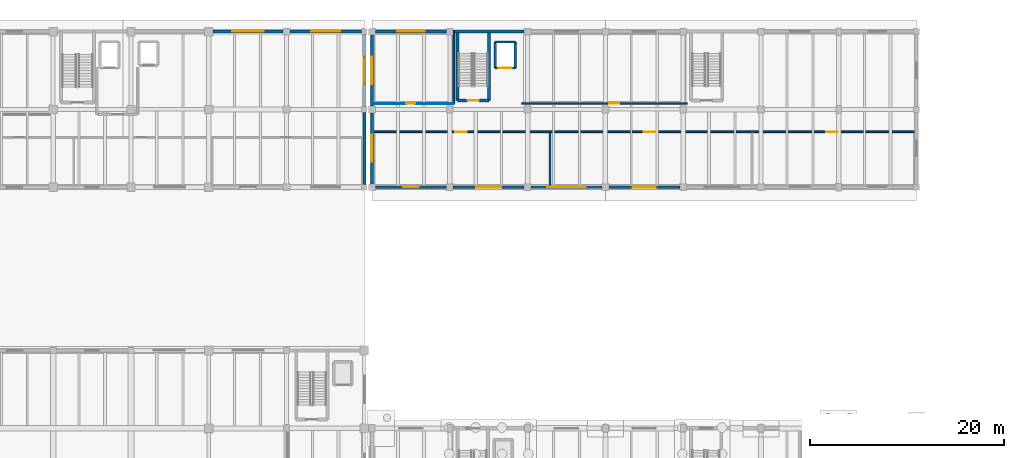
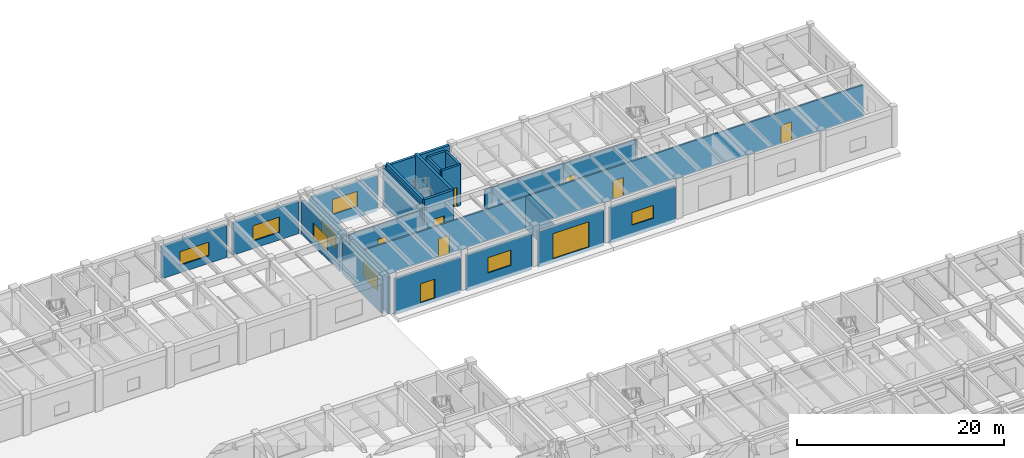
# One storey, part 41 of 64: 24 walls, 9 doors, 8 windows, 17 openings.
"""IFC4 building model written with IfcOpenShell, lengths in metres."""

from ifc_helpers import new_model, si_unit, direction, frame, frame_2d, origin, place, context, subcontext, project, spatial, rectangle, extrude, material, layer, layer_set, type_object, element, fill, save


model = new_model("IFC4")

# Units and contexts
model_context = context("Model", 3, precision=1e-05, world=origin(), true_north=direction((0.0, 1.0)))
body_context = subcontext(model_context, "Body", "Model", "MODEL_VIEW")
ifc_project = project(units=[si_unit("LENGTHUNIT", "METRE"), si_unit("AREAUNIT", "SQUARE_METRE"), si_unit("VOLUMEUNIT", "CUBIC_METRE"), si_unit("PLANEANGLEUNIT", "RADIAN"), si_unit("MASSUNIT", "GRAM", prefix="KILO")], contexts=[model_context])

# Site, building, storey
site_placement = place(None, origin())
site = spatial("IfcSite", under=ifc_project, at=site_placement, CompositionType="ELEMENT")
building_placement = place(site_placement, origin())
building = spatial("IfcBuilding", under=site, at=building_placement, Name="Tlaxcora Railside Police Headquarters", CompositionType="ELEMENT")
storey_placement = place(building_placement, origin())
storey = spatial("IfcBuildingStorey", under=building, at=storey_placement, Name="L00", CompositionType="ELEMENT", Elevation=0.0)

# Wall
ifc_material_1 = material(Name="Gypsum acoustic partition board")
ifc_layer_1 = layer(ifc_material_1, 0.175048828125, Name="Gypsum acoustic partition board")
ifc_layer_set_1 = layer_set([ifc_layer_1], Name="Gypsum acoustic partition board")
wall_type_1 = type_object("IfcWallType", Name="Interior Partition Wall IW-22", PredefinedType="PARTITIONING", material=ifc_layer_set_1)
wall_1_placement = place(storey_placement, frame((121.10498046875, 76.8798828125, 0.0), z_axis=(0.0, 0.0, 1.0), x_axis=(0.0, 1.0, 0.0)))
element("IfcWall", 1, at=wall_1_placement, inside=storey, type_object=wall_type_1, Name="V6 L00 interior partition 51", PredefinedType="PARTITIONING", context=body_context, shape_type="SweptSolid", body=[
    extrude(rectangle(XDim=5.52001953125, YDim=0.175048828125, at=frame_2d((2.760009765625, 0.0))), origin(), (0.0, 0.0, 1.0), 3.764892578125),
])

# Wall, openings, doors
wall_2_placement = place(storey_placement, frame((102.8798828125, 82.5, 0.0), z_axis=(0.0, 0.0, 1.0), x_axis=(1.0, 0.0, 0.0)))
wall_2 = element("IfcWall", 2, at=wall_2_placement, inside=storey, type_object=wall_type_1, Name="V6 L00 interior partition 53", PredefinedType="PARTITIONING", context=body_context, shape_type="SweptSolid", body=[
    extrude(rectangle(XDim=55.840087890625, YDim=0.175048828125, at=frame_2d((27.919921875, 0.0))), origin(), (0.0, 0.0, 1.0), 3.764892578125),
])
opening_1_placement = place(wall_2_placement, frame((8.4599609375, 0.0, 0.0)))
opening_1 = element("IfcOpeningElement", 3, at=opening_1_placement, cuts=wall_2, Name="Opening D-L00-102", PredefinedType="OPENING", context=body_context, shape_type="SweptSolid", body=[
    extrude(rectangle(XDim=1.199951171875, YDim=2.199951171875, at=frame_2d((0.60009765625, 1.10009765625))), frame((0.0, 0.09765625, 0.0), z_axis=(0.0, -1.0, 0.0), x_axis=(1.0, 0.0, 0.0)), (0.0, 0.0, 1.0), 0.195068359375),
])
opening_2_placement = place(wall_2_placement, frame((27.889892578125, 0.0, 0.0)))
opening_2 = element("IfcOpeningElement", 4, at=opening_2_placement, cuts=wall_2, Name="Opening D-L00-103", PredefinedType="OPENING", context=body_context, shape_type="SweptSolid", body=[
    extrude(rectangle(XDim=1.199951171875, YDim=2.199951171875, at=frame_2d((0.60009765625, 1.10009765625))), frame((0.0, 0.09765625, 0.0), z_axis=(0.0, -1.0, 0.0), x_axis=(1.0, 0.0, 0.0)), (0.0, 0.0, 1.0), 0.195068359375),
])
opening_3_placement = place(wall_2_placement, frame((46.6298828125, 0.0, 0.0)))
opening_3 = element("IfcOpeningElement", 5, at=opening_3_placement, cuts=wall_2, Name="Opening D-L00-104", PredefinedType="OPENING", context=body_context, shape_type="SweptSolid", body=[
    extrude(rectangle(XDim=1.199951171875, YDim=2.199951171875, at=frame_2d((0.60009765625, 1.10009765625))), frame((0.0, 0.09765625, 0.0), z_axis=(0.0, -1.0, 0.0), x_axis=(1.0, 0.0, 0.0)), (0.0, 0.0, 1.0), 0.195068359375),
])
ifc_material_2 = material(Name="Steel ASTM A992 Grade 50", Category="steel")
door_type_1 = type_object("IfcDoorType", Name="Swing or Sliding Personnel Door ID-65", OperationType="NOTDEFINED", PredefinedType="DOOR", material=ifc_material_2)
door_1_placement = place(opening_1_placement, origin())
door_1 = element("IfcDoor", 6, at=door_1_placement, inside=storey, type_object=door_type_1, Name="V6 L00 door D-L00-102", OperationType="DOUBLE_DOOR_SINGLE_SWING", OverallHeight=2.199951171875, OverallWidth=1.199951171875, PredefinedType="DOOR", context=body_context, shape_type="SweptSolid", body=[
    extrude(rectangle(XDim=1.199951171875, YDim=2.199951171875, at=frame_2d((0.60009765625, 1.10009765625))), frame((0.0, 0.02490234375, 0.0), z_axis=(0.0, -1.0, 0.0), x_axis=(1.0, 0.0, 0.0)), (0.0, 0.0, 1.0), 0.050048828125),
])
fill(opening_1, door_1)
door_2_placement = place(opening_2_placement, origin())
door_2 = element("IfcDoor", 7, at=door_2_placement, inside=storey, type_object=door_type_1, Name="V6 L00 door D-L00-103", OperationType="DOUBLE_DOOR_SINGLE_SWING", OverallHeight=2.199951171875, OverallWidth=1.199951171875, PredefinedType="DOOR", context=body_context, shape_type="SweptSolid", body=[
    extrude(rectangle(XDim=1.199951171875, YDim=2.199951171875, at=frame_2d((0.60009765625, 1.10009765625))), frame((0.0, 0.02490234375, 0.0), z_axis=(0.0, -1.0, 0.0), x_axis=(1.0, 0.0, 0.0)), (0.0, 0.0, 1.0), 0.050048828125),
])
fill(opening_2, door_2)
door_3_placement = place(opening_3_placement, origin())
door_3 = element("IfcDoor", 8, at=door_3_placement, inside=storey, type_object=door_type_1, Name="V6 L00 door D-L00-104", OperationType="DOUBLE_DOOR_SINGLE_SWING", OverallHeight=2.199951171875, OverallWidth=1.199951171875, PredefinedType="DOOR", context=body_context, shape_type="SweptSolid", body=[
    extrude(rectangle(XDim=1.199951171875, YDim=2.199951171875, at=frame_2d((0.60009765625, 1.10009765625))), frame((0.0, 0.02490234375, 0.0), z_axis=(0.0, -1.0, 0.0), x_axis=(1.0, 0.0, 0.0)), (0.0, 0.0, 1.0), 0.050048828125),
])
fill(opening_3, door_3)

# Wall
ifc_layer_2 = layer(ifc_material_1, 0.16796875, Name="Gypsum acoustic partition board")
ifc_layer_set_2 = layer_set([ifc_layer_2], Name="Gypsum acoustic partition board")
wall_type_2 = type_object("IfcWallType", Name="Interior Partition Wall IW-31", PredefinedType="PARTITIONING", material=ifc_layer_set_2)
wall_3_placement = place(storey_placement, frame((111.199951171875, 85.39990234375, 0.0), z_axis=(0.0, 0.0, 1.0), x_axis=(0.0, 1.0, 0.0)))
element("IfcWall", 9, at=wall_3_placement, inside=storey, type_object=wall_type_2, Name="V6 L00 interior partition 55", PredefinedType="PARTITIONING", context=body_context, shape_type="SweptSolid", body=[
    extrude(rectangle(XDim=7.400146484375, YDim=0.16796875, at=frame_2d((3.7001953125, 0.0))), origin(), (0.0, 0.0, 1.0), 4.530029296875),
])

# Wall, opening, door
ifc_layer_3 = layer(ifc_material_1, 0.10009765625, Name="Gypsum acoustic partition board")
ifc_layer_set_3 = layer_set([ifc_layer_3], Name="Gypsum acoustic partition board")
wall_type_3 = type_object("IfcWallType", Name="Interior Partition Wall IW-45", PredefinedType="PARTITIONING", material=ifc_layer_set_3)
wall_4_placement = place(storey_placement, frame((102.800048828125, 85.39990234375, 0.0), z_axis=(0.0, 0.0, 1.0), x_axis=(1.0, 0.0, 0.0)))
wall_4 = element("IfcWall", 10, at=wall_4_placement, inside=storey, type_object=wall_type_3, Name="V6 L00 interior partition 54", PredefinedType="PARTITIONING", context=body_context, shape_type="SweptSolid", body=[
    extrude(rectangle(XDim=8.39990234375, YDim=0.10009765625, at=frame_2d((4.199951171875, 0.0))), origin(), (0.0, 0.0, 1.0), 3.81494140625),
])
opening_4_placement = place(wall_4_placement, frame((3.5, 0.0, 0.0)))
opening_4 = element("IfcOpeningElement", 11, at=opening_4_placement, cuts=wall_4, Name="Opening D-L00-105", PredefinedType="OPENING", context=body_context, shape_type="SweptSolid", body=[
    extrude(rectangle(XDim=0.949951171875, YDim=2.14990234375, at=frame_2d((0.47509765625, 1.074951171875))), frame((0.0, 0.06005859375, 0.0), z_axis=(0.0, -1.0, 0.0), x_axis=(1.0, 0.0, 0.0)), (0.0, 0.0, 1.0), 0.1201171875),
])
door_type_2 = type_object("IfcDoorType", Name="Swing or Sliding Personnel Door ID-31", OperationType="NOTDEFINED", PredefinedType="DOOR", material=ifc_material_2)
door_4_placement = place(opening_4_placement, origin())
door_4 = element("IfcDoor", 12, at=door_4_placement, inside=storey, type_object=door_type_2, Name="V6 L00 door D-L00-105", OperationType="SINGLE_SWING_RIGHT", OverallHeight=2.14990234375, OverallWidth=0.949951171875, PredefinedType="DOOR", context=body_context, shape_type="SweptSolid", body=[
    extrude(rectangle(XDim=0.949951171875, YDim=2.14990234375, at=frame_2d((0.47509765625, 1.074951171875))), frame((0.0, 0.02490234375, 0.0), z_axis=(0.0, -1.0, 0.0), x_axis=(1.0, 0.0, 0.0)), (0.0, 0.0, 1.0), 0.050048828125),
])
fill(opening_4, door_4)

ifc_layer_4 = layer(ifc_material_1, 0.159912109375, Name="Gypsum acoustic partition board")
ifc_layer_set_4 = layer_set([ifc_layer_4], Name="Gypsum acoustic partition board")
wall_type_4 = type_object("IfcWallType", Name="Interior Partition Wall IW-73", PredefinedType="PARTITIONING", material=ifc_layer_set_4)
wall_5_placement = place(storey_placement, frame((118.199951171875, 85.39990234375, 0.0), z_axis=(0.0, 0.0, 1.0), x_axis=(1.0, 0.0, 0.0)))
wall_5 = element("IfcWall", 13, at=wall_5_placement, inside=storey, type_object=wall_type_4, Name="V6 L00 interior partition 56", PredefinedType="PARTITIONING", context=body_context, shape_type="SweptSolid", body=[
    extrude(rectangle(XDim=17.0, YDim=0.159912109375, at=frame_2d((8.5, 0.0))), origin(), (0.0, 0.0, 1.0), 3.81494140625),
])
opening_5_placement = place(wall_5_placement, frame((9.0, 0.0, 0.0)))
opening_5 = element("IfcOpeningElement", 14, at=opening_5_placement, cuts=wall_5, Name="Opening D-L00-106", PredefinedType="OPENING", context=body_context, shape_type="SweptSolid", body=[
    extrude(rectangle(XDim=1.050048828125, YDim=2.10009765625, at=frame_2d((0.52490234375, 1.050048828125))), frame((0.0, 0.08984375, 0.0), z_axis=(0.0, -1.0, 0.0), x_axis=(1.0, 0.0, 0.0)), (0.0, 0.0, 1.0), 0.179931640625),
])
door_type_3 = type_object("IfcDoorType", Name="Swing or Sliding Personnel Door ID-52", OperationType="NOTDEFINED", PredefinedType="DOOR", material=ifc_material_2)
door_5_placement = place(opening_5_placement, origin())
door_5 = element("IfcDoor", 15, at=door_5_placement, inside=storey, type_object=door_type_3, Name="V6 L00 door D-L00-106", OperationType="SINGLE_SWING_LEFT", OverallHeight=2.10009765625, OverallWidth=1.050048828125, PredefinedType="DOOR", context=body_context, shape_type="SweptSolid", body=[
    extrude(rectangle(XDim=1.050048828125, YDim=2.10009765625, at=frame_2d((0.52490234375, 1.050048828125))), frame((0.0, 0.02490234375, 0.0), z_axis=(0.0, -1.0, 0.0), x_axis=(1.0, 0.0, 0.0)), (0.0, 0.0, 1.0), 0.050048828125),
])
fill(opening_5, door_5)

ifc_material_3 = material(Name="Concrete C40/50", Category="concrete")
ifc_layer_5 = layer(ifc_material_3, 0.25, Name="Concrete C40/50")
ifc_layer_set_5 = layer_set([ifc_layer_5], Name="Concrete C40/50")
wall_type_5 = type_object("IfcWallType", Name="Shear Core Wall IW-13", PredefinedType="SHEAR", material=ifc_layer_set_5)
wall_6_placement = place(storey_placement, frame((115.4599609375, 89.06005859375, 0.0), z_axis=(0.0, 0.0, 1.0), x_axis=(1.0, 0.0, 0.0)))
wall_6 = element("IfcWall", 16, at=wall_6_placement, inside=storey, type_object=wall_type_5, Name="Lift GL-01 L00 shaft wall S", PredefinedType="SHEAR", context=body_context, shape_type="SweptSolid", body=[
    extrude(rectangle(XDim=2.080078125, YDim=0.25, at=frame_2d((1.0400390625, 0.0))), origin(), (0.0, 0.0, 1.0), 4.800048828125),
])
opening_6_placement = place(wall_6_placement, frame((0.389892578125, 0.0, 0.0)))
opening_6 = element("IfcOpeningElement", 17, at=opening_6_placement, cuts=wall_6, Name="Opening LD-GL-01-L00", PredefinedType="OPENING", context=body_context, shape_type="SweptSolid", body=[
    extrude(rectangle(XDim=1.300048828125, YDim=2.25, at=frame_2d((0.64990234375, 1.125))), frame((0.0, 0.135009765625, 0.0), z_axis=(0.0, -1.0, 0.0), x_axis=(1.0, 0.0, 0.0)), (0.0, 0.0, 1.0), 0.27001953125),
])
door_type_4 = type_object("IfcDoorType", Name="Swing or Sliding Personnel Door ID-72", OperationType="NOTDEFINED", PredefinedType="DOOR", material=ifc_material_2)
door_6_placement = place(opening_6_placement, origin())
door_6 = element("IfcDoor", 18, at=door_6_placement, inside=storey, type_object=door_type_4, Name="Lift GL-01 L00 sliding landing door", OperationType="DOUBLE_DOOR_SLIDING", OverallHeight=2.25, OverallWidth=1.300048828125, PredefinedType="DOOR", context=body_context, shape_type="SweptSolid", body=[
    extrude(rectangle(XDim=1.300048828125, YDim=2.25, at=frame_2d((0.64990234375, 1.125))), frame((0.0, 0.02490234375, 0.0), z_axis=(0.0, -1.0, 0.0), x_axis=(1.0, 0.0, 0.0)), (0.0, 0.0, 1.0), 0.050048828125),
])
fill(opening_6, door_6)

# Walls
wall_7_placement = place(storey_placement, frame((117.5400390625, 89.06005859375, 0.0), z_axis=(0.0, 0.0, 1.0), x_axis=(0.0, 1.0, 0.0)))
element("IfcWall", 19, at=wall_7_placement, inside=storey, type_object=wall_type_5, Name="Lift GL-01 L00 shaft wall E", PredefinedType="SHEAR", context=body_context, shape_type="SweptSolid", body=[
    extrude(rectangle(XDim=2.679931640625, YDim=0.25, at=frame_2d((1.33984375, 0.0))), origin(), (0.0, 0.0, 1.0), 4.800048828125),
])
wall_8_placement = place(storey_placement, frame((117.5400390625, 91.739990234375, 0.0), z_axis=(0.0, 0.0, 1.0), x_axis=(-1.0, 0.0, 0.0)))
element("IfcWall", 20, at=wall_8_placement, inside=storey, type_object=wall_type_5, Name="Lift GL-01 L00 shaft wall N", PredefinedType="SHEAR", context=body_context, shape_type="SweptSolid", body=[
    extrude(rectangle(XDim=2.080078125, YDim=0.25, at=frame_2d((1.0400390625, 0.0))), origin(), (0.0, 0.0, 1.0), 4.800048828125),
])
wall_9_placement = place(storey_placement, frame((115.4599609375, 91.739990234375, 0.0), z_axis=(0.0, 0.0, 1.0), x_axis=(0.0, -1.0, 0.0)))
element("IfcWall", 21, at=wall_9_placement, inside=storey, type_object=wall_type_5, Name="Lift GL-01 L00 shaft wall W", PredefinedType="SHEAR", context=body_context, shape_type="SweptSolid", body=[
    extrude(rectangle(XDim=2.679931640625, YDim=0.25, at=frame_2d((1.33984375, 0.0))), origin(), (0.0, 0.0, 1.0), 4.800048828125),
])

# Wall, opening, door
ifc_layer_6 = layer(ifc_material_3, 0.300048828125, Name="Concrete C40/50")
ifc_layer_set_6 = layer_set([ifc_layer_6], Name="Concrete C40/50")
wall_type_6 = type_object("IfcWallType", Name="Shear Core Wall IW-28", PredefinedType="SHEAR", material=ifc_layer_set_6)
wall_10_placement = place(storey_placement, frame((111.60009765625, 85.699951171875, 0.0), z_axis=(0.0, 0.0, 1.0), x_axis=(1.0, 0.0, 0.0)))
wall_10 = element("IfcWall", 22, at=wall_10_placement, inside=storey, type_object=wall_type_6, Name="CORE-C3 L00 stair core wall S", PredefinedType="SHEAR", context=body_context, shape_type="SweptSolid", body=[
    extrude(rectangle(XDim=3.219970703125, YDim=0.300048828125, at=frame_2d((1.60986328125, 0.0))), origin(), (0.0, 0.0, 1.0), 4.800048828125),
])
opening_7_placement = place(wall_10_placement, frame((1.034912109375, 0.0, 0.0)))
opening_7 = element("IfcOpeningElement", 23, at=opening_7_placement, cuts=wall_10, Name="Opening SD-L00-020", PredefinedType="OPENING", context=body_context, shape_type="SweptSolid", body=[
    extrude(rectangle(XDim=1.14990234375, YDim=2.14990234375, at=frame_2d((0.574951171875, 1.074951171875))), frame((0.0, 0.16015625, 0.0), z_axis=(0.0, -1.0, 0.0), x_axis=(1.0, 0.0, 0.0)), (0.0, 0.0, 1.0), 0.320068359375),
])
door_type_5 = type_object("IfcDoorType", Name="Swing or Sliding Personnel Door ID-73", OperationType="NOTDEFINED", PredefinedType="DOOR", material=ifc_material_2)
door_7_placement = place(opening_7_placement, origin())
door_7 = element("IfcDoor", 24, at=door_7_placement, inside=storey, type_object=door_type_5, Name="Stair ST3 L00 enclosure fire door", OperationType="SINGLE_SWING_RIGHT", OverallHeight=2.14990234375, OverallWidth=1.14990234375, PredefinedType="DOOR", context=body_context, shape_type="SweptSolid", body=[
    extrude(rectangle(XDim=1.14990234375, YDim=2.14990234375, at=frame_2d((0.574951171875, 1.074951171875))), frame((0.0, 0.02490234375, 0.0), z_axis=(0.0, -1.0, 0.0), x_axis=(1.0, 0.0, 0.0)), (0.0, 0.0, 1.0), 0.050048828125),
])
fill(opening_7, door_7)

# Walls
for number, where, z_axis, x_axis, name in (
    (25, (114.820068359375, 85.699951171875, 0.0), (0.0, 0.0, 1.0), (0.0, 1.0, 0.0), "CORE-C3 L00 stair core wall E"),
    (26, (111.60009765625, 92.800048828125, 0.0), (0.0, 0.0, 1.0), (0.0, -1.0, 0.0), "CORE-C3 L00 stair core wall W"),
):
    element("IfcWall", number, at=place(storey_placement, frame(where, z_axis=z_axis, x_axis=x_axis)), inside=storey, type_object=wall_type_6, Name=name, PredefinedType="SHEAR", context=body_context, shape_type="SweptSolid", body=[
        extrude(rectangle(XDim=7.10009765625, YDim=0.300048828125, at=frame_2d((3.550048828125, 0.0))), origin(), (0.0, 0.0, 1.0), 4.800048828125),
    ])
ifc_material_4 = material(Name="Volcanic basalt ashlar masonry", Category="masonry")
ifc_layer_7 = layer(ifc_material_4, 0.31494140625, Name="Volcanic basalt ashlar masonry")
ifc_layer_set_7 = layer_set([ifc_layer_7], Name="Volcanic basalt ashlar masonry")
wall_type_7 = type_object("IfcWallType", Name="Structural Bearing Wall EW-25", PredefinedType="SOLIDWALL", material=ifc_layer_set_7)
wall_11_placement = place(storey_placement, frame((102.0, 77.10009765625, 0.0), z_axis=(0.0, 0.0, 1.0), x_axis=(0.0, 1.0, 0.0)))
element("IfcWall", 27, at=wall_11_placement, inside=storey, type_object=wall_type_7, Name="V5 L00 exterior wall 3.0", PredefinedType="SOLIDWALL", context=body_context, shape_type="SweptSolid", body=[
    extrude(rectangle(XDim=7.39990234375, YDim=0.31494140625, at=frame_2d((3.699951171875, 0.0))), origin(), (0.0, 0.0, 1.0), 3.8798828125),
])

# Wall, opening, window
wall_12_placement = place(storey_placement, frame((102.0, 85.10009765625, 0.0), z_axis=(0.0, 0.0, 1.0), x_axis=(0.0, 1.0, 0.0)))
wall_12 = element("IfcWall", 28, at=wall_12_placement, inside=storey, type_object=wall_type_7, Name="V5 L00 exterior wall 3.1", PredefinedType="SOLIDWALL", context=body_context, shape_type="SweptSolid", body=[
    extrude(rectangle(XDim=7.39990234375, YDim=0.31494140625, at=frame_2d((3.699951171875, 0.0))), origin(), (0.0, 0.0, 1.0), 3.8798828125),
])
opening_8_placement = place(wall_12_placement, frame((2.300048828125, 0.0, 0.89990234375)))
opening_8 = element("IfcOpeningElement", 29, at=opening_8_placement, cuts=wall_12, Name="Opening WN-44", PredefinedType="OPENING", context=body_context, shape_type="SweptSolid", body=[
    extrude(rectangle(XDim=2.800048828125, YDim=1.800048828125, at=frame_2d((1.39990234375, 0.89990234375))), frame((0.0, 0.16748046875, 0.0), z_axis=(0.0, -1.0, 0.0), x_axis=(1.0, 0.0, 0.0)), (0.0, 0.0, 1.0), 0.3349609375),
])
ifc_material_5 = material(Name="Thermally broken low-E insulated glazing", Category="glass")
window_type_1 = type_object("IfcWindowType", Name="Exterior Framed or Circular Window WN-44", PartitioningType="SINGLE_PANEL", PredefinedType="WINDOW", material=ifc_material_5)
window_1_placement = place(opening_8_placement, origin())
window_1 = element("IfcWindow", 30, at=window_1_placement, inside=storey, type_object=window_type_1, Name="V5 L00 window 102", OverallHeight=1.800048828125, OverallWidth=2.800048828125, PartitioningType="SINGLE_PANEL", PredefinedType="WINDOW", context=body_context, shape_type="SweptSolid", body=[
    extrude(rectangle(XDim=2.800048828125, YDim=1.800048828125, at=frame_2d((1.39990234375, 0.89990234375))), frame((0.0, 0.030029296875, 0.0), z_axis=(0.0, -1.0, 0.0), x_axis=(1.0, 0.0, 0.0)), (0.0, 0.0, 1.0), 0.06005859375),
])
fill(opening_8, window_1)

wall_13_placement = place(storey_placement, frame((101.699951171875, 92.800048828125, 0.0), z_axis=(0.0, 0.0, 1.0), x_axis=(-1.0, 0.0, 0.0)))
wall_13 = element("IfcWall", 31, at=wall_13_placement, inside=storey, type_object=wall_type_7, Name="V5 L00 exterior wall 4.0", PredefinedType="SOLIDWALL", context=body_context, shape_type="SweptSolid", body=[
    extrude(rectangle(XDim=7.349853515625, YDim=0.31494140625, at=frame_2d((3.6748046875, 0.0))), origin(), (0.0, 0.0, 1.0), 3.780029296875),
])
opening_9_placement = place(wall_13_placement, frame((2.175048828125, 0.0, 0.89990234375)))
opening_9 = element("IfcOpeningElement", 32, at=opening_9_placement, cuts=wall_13, Name="Opening WN-93", PredefinedType="OPENING", context=body_context, shape_type="SweptSolid", body=[
    extrude(rectangle(XDim=3.0, YDim=1.800048828125, at=frame_2d((1.5, 0.89990234375))), frame((0.0, 0.16748046875, 0.0), z_axis=(0.0, -1.0, 0.0), x_axis=(1.0, 0.0, 0.0)), (0.0, 0.0, 1.0), 0.3349609375),
])
window_type_2 = type_object("IfcWindowType", Name="Exterior Framed or Circular Window WN-93", PartitioningType="SINGLE_PANEL", PredefinedType="WINDOW", material=ifc_material_5)
window_2_placement = place(opening_9_placement, origin())
window_2 = element("IfcWindow", 33, at=window_2_placement, inside=storey, type_object=window_type_2, Name="V5 L00 window 103", OverallHeight=1.800048828125, OverallWidth=3.0, PartitioningType="SINGLE_PANEL", PredefinedType="WINDOW", context=body_context, shape_type="SweptSolid", body=[
    extrude(rectangle(XDim=3.0, YDim=1.800048828125, at=frame_2d((1.5, 0.89990234375))), frame((0.0, 0.030029296875, 0.0), z_axis=(0.0, -1.0, 0.0), x_axis=(1.0, 0.0, 0.0)), (0.0, 0.0, 1.0), 0.06005859375),
])
fill(opening_9, window_2)

wall_14_placement = place(storey_placement, frame((93.64990234375, 92.800048828125, 0.0), z_axis=(0.0, 0.0, 1.0), x_axis=(-1.0, 0.0, 0.0)))
wall_14 = element("IfcWall", 34, at=wall_14_placement, inside=storey, type_object=wall_type_7, Name="V5 L00 exterior wall 4.1", PredefinedType="SOLIDWALL", context=body_context, shape_type="SweptSolid", body=[
    extrude(rectangle(XDim=7.224853515625, YDim=0.31494140625, at=frame_2d((3.6123046875, 0.0))), origin(), (0.0, 0.0, 1.0), 3.780029296875),
])
opening_10_placement = place(wall_14_placement, frame((2.012451171875, 0.0, 0.89990234375)))
opening_10 = element("IfcOpeningElement", 35, at=opening_10_placement, cuts=wall_14, Name="Opening WN-47", PredefinedType="OPENING", context=body_context, shape_type="SweptSolid", body=[
    extrude(rectangle(XDim=3.199951171875, YDim=1.60009765625, at=frame_2d((1.60009765625, 0.800048828125))), frame((0.0, 0.16748046875, 0.0), z_axis=(0.0, -1.0, 0.0), x_axis=(1.0, 0.0, 0.0)), (0.0, 0.0, 1.0), 0.3349609375),
])
window_type_3 = type_object("IfcWindowType", Name="Exterior Framed or Circular Window WN-47", PartitioningType="SINGLE_PANEL", PredefinedType="WINDOW", material=ifc_material_5)
window_3_placement = place(opening_10_placement, origin())
window_3 = element("IfcWindow", 36, at=window_3_placement, inside=storey, type_object=window_type_3, Name="V5 L00 window 104", OverallHeight=1.60009765625, OverallWidth=3.199951171875, PartitioningType="SINGLE_PANEL", PredefinedType="WINDOW", context=body_context, shape_type="SweptSolid", body=[
    extrude(rectangle(XDim=3.199951171875, YDim=1.60009765625, at=frame_2d((1.60009765625, 0.800048828125))), frame((0.0, 0.030029296875, 0.0), z_axis=(0.0, -1.0, 0.0), x_axis=(1.0, 0.0, 0.0)), (0.0, 0.0, 1.0), 0.06005859375),
])
fill(opening_10, window_3)

# Wall, opening, door
ifc_material_6 = material(Name="Pressed clay brick masonry", Category="masonry")
ifc_layer_8 = layer(ifc_material_6, 0.294921875, Name="Pressed clay brick masonry")
ifc_layer_set_8 = layer_set([ifc_layer_8], Name="Pressed clay brick masonry")
wall_type_8 = type_object("IfcWallType", Name="Structural Bearing Wall EW-74", PredefinedType="SOLIDWALL", material=ifc_layer_set_8)
wall_15_placement = place(storey_placement, frame((103.14990234375, 76.800048828125, -0.419921875), z_axis=(0.0, 0.0, 1.0), x_axis=(1.0, 0.0, 0.0)))
wall_15 = element("IfcWall", 37, at=wall_15_placement, inside=storey, type_object=wall_type_8, Name="V6 L00 exterior wall 0.0", PredefinedType="SOLIDWALL", context=body_context, shape_type="SweptSolid", body=[
    extrude(rectangle(XDim=7.300048828125, YDim=0.294921875, at=frame_2d((3.64990234375, 0.0))), origin(), (0.0, 0.0, 1.0), 4.199951171875),
])
opening_11_placement = place(wall_15_placement, frame((2.85009765625, 0.0, 0.419921875)))
opening_11 = element("IfcOpeningElement", 38, at=opening_11_placement, cuts=wall_15, Name="Opening E-08", PredefinedType="OPENING", context=body_context, shape_type="SweptSolid", body=[
    extrude(rectangle(XDim=1.60009765625, YDim=2.25, at=frame_2d((0.800048828125, 1.125))), frame((0.0, 0.157470703125, 0.0), z_axis=(0.0, -1.0, 0.0), x_axis=(1.0, 0.0, 0.0)), (0.0, 0.0, 1.0), 0.31494140625),
])
ifc_material_7 = material(Name="Anodised aluminium framing", Category="aluminium")
door_type_6 = type_object("IfcDoorType", Name="Swing or Sliding Personnel Door ED-85", OperationType="NOTDEFINED", PredefinedType="DOOR", material=ifc_material_7)
door_8_placement = place(opening_11_placement, frame((1.60009765625, 0.0, 0.0), z_axis=(0.0, 0.0, 1.0), x_axis=(-1.0, 0.0, 0.0)))
door_8 = element("IfcDoor", 39, at=door_8_placement, inside=storey, type_object=door_type_6, Name="Forensic intake entrance E-08", OperationType="DOUBLE_DOOR_SINGLE_SWING", OverallHeight=2.25, OverallWidth=1.60009765625, PredefinedType="DOOR", context=body_context, shape_type="SweptSolid", body=[
    extrude(rectangle(XDim=1.60009765625, YDim=2.25, at=frame_2d((0.800048828125, 1.125))), frame((0.0, 0.02490234375, 0.0), z_axis=(0.0, -1.0, 0.0), x_axis=(1.0, 0.0, 0.0)), (0.0, 0.0, 1.0), 0.050048828125),
])
fill(opening_11, door_8)

# Wall, opening, window
wall_16_placement = place(storey_placement, frame((111.14990234375, 76.800048828125, -0.419921875), z_axis=(0.0, 0.0, 1.0), x_axis=(1.0, 0.0, 0.0)))
wall_16 = element("IfcWall", 40, at=wall_16_placement, inside=storey, type_object=wall_type_8, Name="V6 L00 exterior wall 0.1", PredefinedType="SOLIDWALL", context=body_context, shape_type="SweptSolid", body=[
    extrude(rectangle(XDim=7.300048828125, YDim=0.294921875, at=frame_2d((3.64990234375, 0.0))), origin(), (0.0, 0.0, 1.0), 4.199951171875),
])
opening_12_placement = place(wall_16_placement, frame((2.35009765625, 0.0, 1.320068359375)))
opening_12 = element("IfcOpeningElement", 41, at=opening_12_placement, cuts=wall_16, Name="Opening WN-71", PredefinedType="OPENING", context=body_context, shape_type="SweptSolid", body=[
    extrude(rectangle(XDim=2.60009765625, YDim=1.800048828125, at=frame_2d((1.300048828125, 0.89990234375))), frame((0.0, 0.157470703125, 0.0), z_axis=(0.0, -1.0, 0.0), x_axis=(1.0, 0.0, 0.0)), (0.0, 0.0, 1.0), 0.31494140625),
])
window_type_4 = type_object("IfcWindowType", Name="Exterior Framed or Circular Window WN-71", PartitioningType="SINGLE_PANEL", PredefinedType="WINDOW", material=ifc_material_5)
window_4_placement = place(opening_12_placement, origin())
window_4 = element("IfcWindow", 42, at=window_4_placement, inside=storey, type_object=window_type_4, Name="V6 L00 window 156", OverallHeight=1.800048828125, OverallWidth=2.60009765625, PartitioningType="SINGLE_PANEL", PredefinedType="WINDOW", context=body_context, shape_type="SweptSolid", body=[
    extrude(rectangle(XDim=2.60009765625, YDim=1.800048828125, at=frame_2d((1.300048828125, 0.89990234375))), frame((0.0, 0.030029296875, 0.0), z_axis=(0.0, -1.0, 0.0), x_axis=(1.0, 0.0, 0.0)), (0.0, 0.0, 1.0), 0.06005859375),
])
fill(opening_12, window_4)

# Wall, opening, door
wall_17_placement = place(storey_placement, frame((119.14990234375, 76.800048828125, -0.419921875), z_axis=(0.0, 0.0, 1.0), x_axis=(1.0, 0.0, 0.0)))
wall_17 = element("IfcWall", 43, at=wall_17_placement, inside=storey, type_object=wall_type_8, Name="V6 L00 exterior wall 0.2", PredefinedType="SOLIDWALL", context=body_context, shape_type="SweptSolid", body=[
    extrude(rectangle(XDim=7.300048828125, YDim=0.294921875, at=frame_2d((3.64990234375, 0.0))), origin(), (0.0, 0.0, 1.0), 4.199951171875),
])
opening_13_placement = place(wall_17_placement, frame((1.64990234375, 0.0, 0.419921875)))
opening_13 = element("IfcOpeningElement", 44, at=opening_13_placement, cuts=wall_17, Name="Opening FG-01", PredefinedType="OPENING", context=body_context, shape_type="SweptSolid", body=[
    extrude(rectangle(XDim=4.0, YDim=3.0, at=frame_2d((2.0, 1.5))), frame((0.0, 0.157470703125, 0.0), z_axis=(0.0, -1.0, 0.0), x_axis=(1.0, 0.0, 0.0)), (0.0, 0.0, 1.0), 0.31494140625),
])
door_type_7 = type_object("IfcDoorType", Name="Vehicle Security Shutter Gate ED-18", OperationType="NOTDEFINED", PredefinedType="GATE", material=ifc_material_2)
door_9_placement = place(opening_13_placement, frame((4.0, 0.0, 0.0), z_axis=(0.0, 0.0, 1.0), x_axis=(-1.0, 0.0, 0.0)))
door_9 = element("IfcDoor", 45, at=door_9_placement, inside=storey, type_object=door_type_7, Name="Service vehicle shutter gate FG-01", OperationType="ROLLINGUP", OverallHeight=3.0, OverallWidth=4.0, PredefinedType="GATE", context=body_context, shape_type="SweptSolid", body=[
    extrude(rectangle(XDim=4.0, YDim=3.0, at=frame_2d((2.0, 1.5))), frame((0.0, 0.02490234375, 0.0), z_axis=(0.0, -1.0, 0.0), x_axis=(1.0, 0.0, 0.0)), (0.0, 0.0, 1.0), 0.050048828125),
])
fill(opening_13, door_9)

# Wall, opening, window
wall_18_placement = place(storey_placement, frame((127.14990234375, 76.800048828125, -0.419921875), z_axis=(0.0, 0.0, 1.0), x_axis=(1.0, 0.0, 0.0)))
wall_18 = element("IfcWall", 46, at=wall_18_placement, inside=storey, type_object=wall_type_8, Name="V6 L00 exterior wall 0.3", PredefinedType="SOLIDWALL", context=body_context, shape_type="SweptSolid", body=[
    extrude(rectangle(XDim=7.300048828125, YDim=0.294921875, at=frame_2d((3.64990234375, 0.0))), origin(), (0.0, 0.0, 1.0), 4.199951171875),
])
opening_14_placement = place(wall_18_placement, frame((2.449951171875, 0.0, 1.320068359375)))
opening_14 = element("IfcOpeningElement", 47, at=opening_14_placement, cuts=wall_18, Name="Opening WN-59", PredefinedType="OPENING", context=body_context, shape_type="SweptSolid", body=[
    extrude(rectangle(XDim=2.39990234375, YDim=1.5, at=frame_2d((1.199951171875, 0.75))), frame((0.0, 0.157470703125, 0.0), z_axis=(0.0, -1.0, 0.0), x_axis=(1.0, 0.0, 0.0)), (0.0, 0.0, 1.0), 0.31494140625),
])
window_type_5 = type_object("IfcWindowType", Name="Exterior Framed or Circular Window WN-59", PartitioningType="SINGLE_PANEL", PredefinedType="WINDOW", material=ifc_material_5)
window_5_placement = place(opening_14_placement, origin())
window_5 = element("IfcWindow", 48, at=window_5_placement, inside=storey, type_object=window_type_5, Name="V6 L00 window 157", OverallHeight=1.5, OverallWidth=2.39990234375, PartitioningType="SINGLE_PANEL", PredefinedType="WINDOW", context=body_context, shape_type="SweptSolid", body=[
    extrude(rectangle(XDim=2.39990234375, YDim=1.5, at=frame_2d((1.199951171875, 0.75))), frame((0.0, 0.030029296875, 0.0), z_axis=(0.0, -1.0, 0.0), x_axis=(1.0, 0.0, 0.0)), (0.0, 0.0, 1.0), 0.06005859375),
])
fill(opening_14, window_5)

# Wall
wall_19_placement = place(storey_placement, frame((118.449951171875, 92.800048828125, -0.419921875), z_axis=(0.0, 0.0, 1.0), x_axis=(-1.0, 0.0, 0.0)))
element("IfcWall", 49, at=wall_19_placement, inside=storey, type_object=wall_type_8, Name="V6 L00 exterior wall 2.5", PredefinedType="SOLIDWALL", context=body_context, shape_type="SweptSolid", body=[
    extrude(rectangle(XDim=7.300048828125, YDim=0.294921875, at=frame_2d((3.64990234375, 0.0))), origin(), (0.0, 0.0, 1.0), 4.949951171875),
])

# Wall, opening, window
wall_20_placement = place(storey_placement, frame((110.449951171875, 92.800048828125, -0.419921875), z_axis=(0.0, 0.0, 1.0), x_axis=(-1.0, 0.0, 0.0)))
wall_20 = element("IfcWall", 50, at=wall_20_placement, inside=storey, type_object=wall_type_8, Name="V6 L00 exterior wall 2.6", PredefinedType="SOLIDWALL", context=body_context, shape_type="SweptSolid", body=[
    extrude(rectangle(XDim=7.300048828125, YDim=0.294921875, at=frame_2d((3.64990234375, 0.0))), origin(), (0.0, 0.0, 1.0), 4.199951171875),
])
opening_15_placement = place(wall_20_placement, frame((2.25, 0.0, 1.320068359375)))
opening_15 = element("IfcOpeningElement", 51, at=opening_15_placement, cuts=wall_20, Name="Opening WN-44", PredefinedType="OPENING", context=body_context, shape_type="SweptSolid", body=[
    extrude(rectangle(XDim=2.800048828125, YDim=1.800048828125, at=frame_2d((1.39990234375, 0.89990234375))), frame((0.0, 0.157470703125, 0.0), z_axis=(0.0, -1.0, 0.0), x_axis=(1.0, 0.0, 0.0)), (0.0, 0.0, 1.0), 0.31494140625),
])
window_6_placement = place(opening_15_placement, origin())
window_6 = element("IfcWindow", 52, at=window_6_placement, inside=storey, type_object=window_type_1, Name="V6 L00 window 166", OverallHeight=1.800048828125, OverallWidth=2.800048828125, PartitioningType="SINGLE_PANEL", PredefinedType="WINDOW", context=body_context, shape_type="SweptSolid", body=[
    extrude(rectangle(XDim=2.800048828125, YDim=1.800048828125, at=frame_2d((1.39990234375, 0.89990234375))), frame((0.0, 0.030029296875, 0.0), z_axis=(0.0, -1.0, 0.0), x_axis=(1.0, 0.0, 0.0)), (0.0, 0.0, 1.0), 0.06005859375),
])
fill(opening_15, window_6)

wall_21_placement = place(storey_placement, frame((102.800048828125, 92.449951171875, -0.419921875), z_axis=(0.0, 0.0, 1.0), x_axis=(0.0, -1.0, 0.0)))
wall_21 = element("IfcWall", 53, at=wall_21_placement, inside=storey, type_object=wall_type_8, Name="V6 L00 exterior wall 3.0", PredefinedType="SOLIDWALL", context=body_context, shape_type="SweptSolid", body=[
    extrude(rectangle(XDim=7.300048828125, YDim=0.294921875, at=frame_2d((3.64990234375, 0.0))), origin(), (0.0, 0.0, 1.0), 4.2998046875),
])
opening_16_placement = place(wall_21_placement, frame((2.25, 0.0, 1.320068359375)))
opening_16 = element("IfcOpeningElement", 54, at=opening_16_placement, cuts=wall_21, Name="Opening WN-44", PredefinedType="OPENING", context=body_context, shape_type="SweptSolid", body=[
    extrude(rectangle(XDim=2.800048828125, YDim=1.800048828125, at=frame_2d((1.39990234375, 0.89990234375))), frame((0.0, 0.157470703125, 0.0), z_axis=(0.0, -1.0, 0.0), x_axis=(1.0, 0.0, 0.0)), (0.0, 0.0, 1.0), 0.31494140625),
])
window_7_placement = place(opening_16_placement, origin())
window_7 = element("IfcWindow", 55, at=window_7_placement, inside=storey, type_object=window_type_1, Name="V6 L00 window 167", OverallHeight=1.800048828125, OverallWidth=2.800048828125, PartitioningType="SINGLE_PANEL", PredefinedType="WINDOW", context=body_context, shape_type="SweptSolid", body=[
    extrude(rectangle(XDim=2.800048828125, YDim=1.800048828125, at=frame_2d((1.39990234375, 0.89990234375))), frame((0.0, 0.030029296875, 0.0), z_axis=(0.0, -1.0, 0.0), x_axis=(1.0, 0.0, 0.0)), (0.0, 0.0, 1.0), 0.06005859375),
])
fill(opening_16, window_7)

wall_22_placement = place(storey_placement, frame((102.800048828125, 84.449951171875, -0.419921875), z_axis=(0.0, 0.0, 1.0), x_axis=(0.0, -1.0, 0.0)))
wall_22 = element("IfcWall", 56, at=wall_22_placement, inside=storey, type_object=wall_type_8, Name="V6 L00 exterior wall 3.1", PredefinedType="SOLIDWALL", context=body_context, shape_type="SweptSolid", body=[
    extrude(rectangle(XDim=7.300048828125, YDim=0.294921875, at=frame_2d((3.64990234375, 0.0))), origin(), (0.0, 0.0, 1.0), 4.2998046875),
])
opening_17_placement = place(wall_22_placement, frame((2.25, 0.0, 1.320068359375)))
opening_17 = element("IfcOpeningElement", 57, at=opening_17_placement, cuts=wall_22, Name="Opening WN-44", PredefinedType="OPENING", context=body_context, shape_type="SweptSolid", body=[
    extrude(rectangle(XDim=2.800048828125, YDim=1.800048828125, at=frame_2d((1.39990234375, 0.89990234375))), frame((0.0, 0.157470703125, 0.0), z_axis=(0.0, -1.0, 0.0), x_axis=(1.0, 0.0, 0.0)), (0.0, 0.0, 1.0), 0.31494140625),
])
window_8_placement = place(opening_17_placement, origin())
window_8 = element("IfcWindow", 58, at=window_8_placement, inside=storey, type_object=window_type_1, Name="V6 L00 window 168", OverallHeight=1.800048828125, OverallWidth=2.800048828125, PartitioningType="SINGLE_PANEL", PredefinedType="WINDOW", context=body_context, shape_type="SweptSolid", body=[
    extrude(rectangle(XDim=2.800048828125, YDim=1.800048828125, at=frame_2d((1.39990234375, 0.89990234375))), frame((0.0, 0.030029296875, 0.0), z_axis=(0.0, -1.0, 0.0), x_axis=(1.0, 0.0, 0.0)), (0.0, 0.0, 1.0), 0.06005859375),
])
fill(opening_17, window_8)

save(model, "model.ifc")
